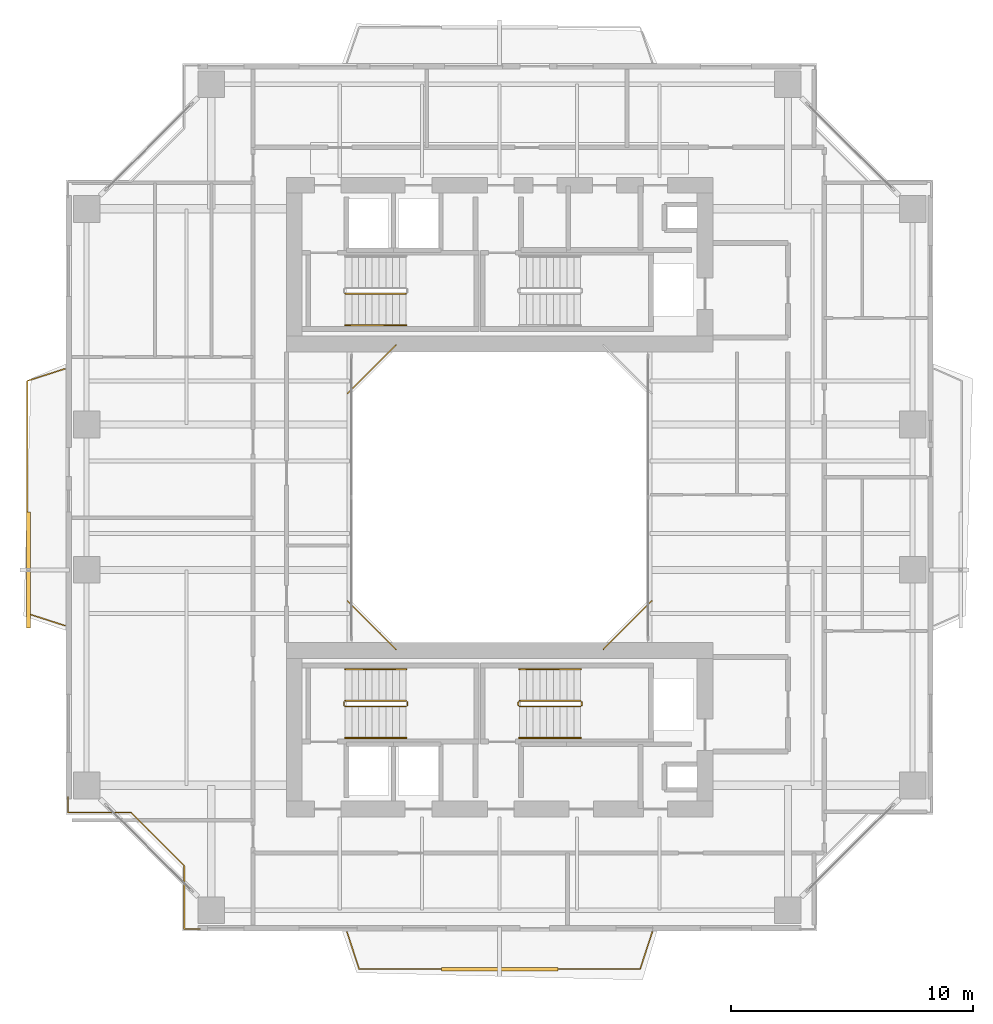
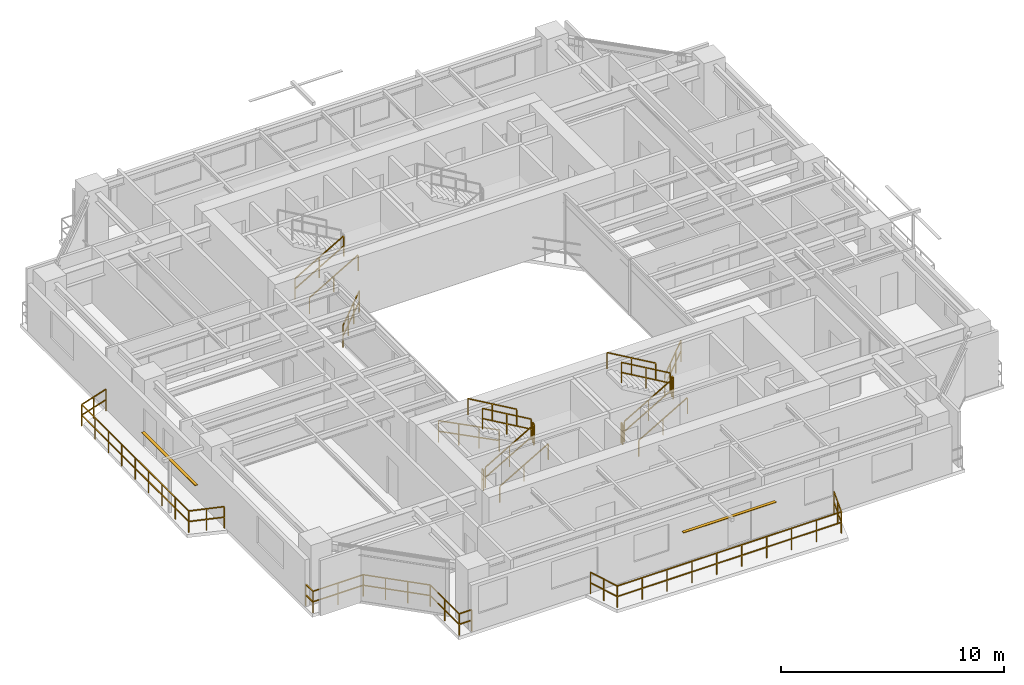
# One storey, part 14 of 16: 20 railings, 2 shading devices.
"""IFC4 building model written with IfcOpenShell, lengths in metres."""

from ifc_helpers import new_model, si_unit, direction, frame, origin, origin_2d, place, context, subcontext, project, spatial, rectangle, extrude, source, transform, mapped, material, material_profile, profile_set, type_object, element, save


model = new_model("IFC4")

# Units and contexts
model_context = context("Model", 3, precision=1e-05, world=origin(), true_north=direction((0.0, 1.0)))
body_context = subcontext(model_context, "Body", "Model", "MODEL_VIEW")
ifc_project = project(units=[si_unit("LENGTHUNIT", "METRE"), si_unit("AREAUNIT", "SQUARE_METRE"), si_unit("VOLUMEUNIT", "CUBIC_METRE"), si_unit("PLANEANGLEUNIT", "RADIAN"), si_unit("MASSUNIT", "GRAM", prefix="KILO"), si_unit("THERMODYNAMICTEMPERATUREUNIT", "KELVIN"), si_unit("POWERUNIT", "WATT")], contexts=[model_context])

# Site, building, storey
site_placement = place(None, origin())
site = spatial("IfcSite", under=ifc_project, at=site_placement, CompositionType="ELEMENT")
building_placement = place(site_placement, origin())
building = spatial("IfcBuilding", under=site, at=building_placement, Name="Qiaomeng Ring Towers", CompositionType="ELEMENT")
storey_placement = place(building_placement, frame((0.0, 0.0, 136.0)))
storey = spatial("IfcBuildingStorey", under=building, at=storey_placement, Name="L39", CompositionType="ELEMENT", Elevation=136.0)

# Railings
ifc_material_1 = material(Name="Low-E pale-green laminated safety glass", Category="glass")
railing_type_1 = type_object("IfcRailingType", Name="ARC-RL-BAL1", PredefinedType="BALUSTRADE", material=ifc_material_1)
railing_1_placement = place(storey_placement, frame((23.280029296875, 16.719970703125, 0.0)))
element("IfcRailing", 1, at=railing_1_placement, inside=storey, type_object=railing_type_1, Name="L39 Balustrade ARC-BAL-WELL1-L39-1", PredefinedType="BALUSTRADE", context=body_context, shape_type="SweptSolid", body=[
    extrude(rectangle(XDim=0.048095703125, YDim=0.048095703125, at=origin_2d()), frame((0.0, 0.0, 1.17578125), z_axis=(0.707106781187, 0.707106781187, 0.0), x_axis=(-0.707106781187, 0.707106781187, 0.0)), (0.0, 0.0, 1.0), 2.828369140625),
    extrude(rectangle(XDim=0.048095703125, YDim=0.048095703125, at=origin_2d()), frame((0.0, 0.0, 0.60009765625), z_axis=(0.707106781187, 0.707106781187, 0.0), x_axis=(-0.707106781187, 0.707106781187, 0.0)), (0.0, 0.0, 1.0), 2.828369140625),
    extrude(rectangle(XDim=0.0419921875, YDim=0.0419921875, at=origin_2d()), origin(), (0.0, 0.0, 1.0), 1.15185546875),
    extrude(rectangle(XDim=0.0419921875, YDim=0.0419921875, at=origin_2d()), frame((0.666748046875, 0.666748046875, 0.0)), (0.0, 0.0, 1.0), 1.15185546875),
    extrude(rectangle(XDim=0.0419921875, YDim=0.0419921875, at=origin_2d()), frame((1.333251953125, 1.333251953125, 0.0)), (0.0, 0.0, 1.0), 1.15185546875),
    extrude(rectangle(XDim=0.0419921875, YDim=0.0419921875, at=origin_2d()), frame((2.0, 2.0, 0.0)), (0.0, 0.0, 1.0), 1.15185546875),
])
railing_2_placement = place(storey_placement, frame((14.719970703125, 29.280029296875, 0.0)))
element("IfcRailing", 2, at=railing_2_placement, inside=storey, type_object=railing_type_1, Name="L39 Balustrade ARC-BAL-WELL1-L39-3", PredefinedType="BALUSTRADE", context=body_context, shape_type="SweptSolid", body=[
    extrude(rectangle(XDim=0.048095703125, YDim=0.048095703125, at=origin_2d()), frame((0.0, 0.0, 1.17578125), z_axis=(-0.707106781187, -0.707106781187, 0.0), x_axis=(0.707106781187, -0.707106781187, 0.0)), (0.0, 0.0, 1.0), 2.828369140625),
    extrude(rectangle(XDim=0.048095703125, YDim=0.048095703125, at=origin_2d()), frame((0.0, 0.0, 0.60009765625), z_axis=(-0.707106781187, -0.707106781187, 0.0), x_axis=(0.707106781187, -0.707106781187, 0.0)), (0.0, 0.0, 1.0), 2.828369140625),
    extrude(rectangle(XDim=0.0419921875, YDim=0.0419921875, at=origin_2d()), origin(), (0.0, 0.0, 1.0), 1.15185546875),
    extrude(rectangle(XDim=0.0419921875, YDim=0.0419921875, at=origin_2d()), frame((-0.666748046875, -0.666748046875, 0.0)), (0.0, 0.0, 1.0), 1.15185546875),
    extrude(rectangle(XDim=0.0419921875, YDim=0.0419921875, at=origin_2d()), frame((-1.333251953125, -1.333251953125, 0.0)), (0.0, 0.0, 1.0), 1.15185546875),
    extrude(rectangle(XDim=0.0419921875, YDim=0.0419921875, at=origin_2d()), frame((-2.0, -2.0, 0.0)), (0.0, 0.0, 1.0), 1.15185546875),
])
railing_3_placement = place(storey_placement, frame((12.719970703125, 18.719970703125, 0.0)))
element("IfcRailing", 3, at=railing_3_placement, inside=storey, type_object=railing_type_1, Name="L39 Balustrade ARC-BAL-WELL1-L39-4", PredefinedType="BALUSTRADE", context=body_context, shape_type="SweptSolid", body=[
    extrude(rectangle(XDim=0.048095703125, YDim=0.048095703125, at=origin_2d()), frame((0.0, 0.0, 1.17578125), z_axis=(0.707106781187, -0.707106781187, 0.0), x_axis=(0.707106781187, 0.707106781187, 0.0)), (0.0, 0.0, 1.0), 2.828369140625),
    extrude(rectangle(XDim=0.048095703125, YDim=0.048095703125, at=origin_2d()), frame((0.0, 0.0, 0.60009765625), z_axis=(0.707106781187, -0.707106781187, 0.0), x_axis=(0.707106781187, 0.707106781187, 0.0)), (0.0, 0.0, 1.0), 2.828369140625),
    extrude(rectangle(XDim=0.0419921875, YDim=0.0419921875, at=origin_2d()), origin(), (0.0, 0.0, 1.0), 1.15185546875),
    extrude(rectangle(XDim=0.0419921875, YDim=0.0419921875, at=origin_2d()), frame((0.666748046875, -0.666748046875, 0.0)), (0.0, 0.0, 1.0), 1.15185546875),
    extrude(rectangle(XDim=0.0419921875, YDim=0.0419921875, at=origin_2d()), frame((1.333251953125, -1.333251953125, 0.0)), (0.0, 0.0, 1.0), 1.15185546875),
    extrude(rectangle(XDim=0.0419921875, YDim=0.0419921875, at=origin_2d()), frame((2.0, -2.0, 0.0)), (0.0, 0.0, 1.0), 1.15185546875),
])
railing_4_placement = place(storey_placement, frame((1.179931640625, 10.6298828125, 0.0)))
element("IfcRailing", 4, at=railing_4_placement, inside=storey, type_object=railing_type_1, Name="L39 Balustrade ARC-BAL-NOTCH1-L39-SW", PredefinedType="BALUSTRADE", context=body_context, shape_type="SweptSolid", body=[
    extrude(rectangle(XDim=0.048095703125, YDim=0.048095703125, at=origin_2d()), frame((0.0, 0.0, 1.17578125), z_axis=(0.0, -1.0, 0.0), x_axis=(1.0, 0.0, 0.0)), (0.0, 0.0, 1.0), 0.64990234375),
    extrude(rectangle(XDim=0.048095703125, YDim=0.048095703125, at=origin_2d()), frame((0.0, 0.0, 0.60009765625), z_axis=(0.0, -1.0, 0.0), x_axis=(1.0, 0.0, 0.0)), (0.0, 0.0, 1.0), 0.64990234375),
    extrude(rectangle(XDim=0.048095703125, YDim=0.048095703125, at=origin_2d()), frame((0.0, -0.64990234375, 1.17578125), z_axis=(1.0, 0.0, 0.0), x_axis=(0.0, 1.0, 0.0)), (0.0, 0.0, 1.0), 2.60009765625),
    extrude(rectangle(XDim=0.048095703125, YDim=0.048095703125, at=origin_2d()), frame((0.0, -0.64990234375, 0.60009765625), z_axis=(1.0, 0.0, 0.0), x_axis=(0.0, 1.0, 0.0)), (0.0, 0.0, 1.0), 2.60009765625),
    extrude(rectangle(XDim=0.048095703125, YDim=0.048095703125, at=origin_2d()), frame((2.60009765625, -0.64990234375, 1.17578125), z_axis=(0.707106781187, -0.707106781187, 0.0), x_axis=(0.707106781187, 0.707106781187, 0.0)), (0.0, 0.0, 1.0), 3.111083984375),
    extrude(rectangle(XDim=0.048095703125, YDim=0.048095703125, at=origin_2d()), frame((2.60009765625, -0.64990234375, 0.60009765625), z_axis=(0.707106781187, -0.707106781187, 0.0), x_axis=(0.707106781187, 0.707106781187, 0.0)), (0.0, 0.0, 1.0), 3.111083984375),
    extrude(rectangle(XDim=0.048095703125, YDim=0.048095703125, at=origin_2d()), frame((4.800048828125, -2.849853515625, 1.17578125), z_axis=(0.0, -1.0, 0.0), x_axis=(1.0, 0.0, 0.0)), (0.0, 0.0, 1.0), 2.60009765625),
    extrude(rectangle(XDim=0.048095703125, YDim=0.048095703125, at=origin_2d()), frame((4.800048828125, -2.849853515625, 0.60009765625), z_axis=(0.0, -1.0, 0.0), x_axis=(1.0, 0.0, 0.0)), (0.0, 0.0, 1.0), 2.60009765625),
    extrude(rectangle(XDim=0.048095703125, YDim=0.048095703125, at=origin_2d()), frame((4.800048828125, -5.449951171875, 1.17578125), z_axis=(1.0, 0.0, 0.0), x_axis=(0.0, 1.0, 0.0)), (0.0, 0.0, 1.0), 0.64990234375),
    extrude(rectangle(XDim=0.048095703125, YDim=0.048095703125, at=origin_2d()), frame((4.800048828125, -5.449951171875, 0.60009765625), z_axis=(1.0, 0.0, 0.0), x_axis=(0.0, 1.0, 0.0)), (0.0, 0.0, 1.0), 0.64990234375),
    extrude(rectangle(XDim=0.0419921875, YDim=0.0419921875, at=origin_2d()), origin(), (0.0, 0.0, 1.0), 1.15185546875),
    extrude(rectangle(XDim=0.0419921875, YDim=0.0419921875, at=origin_2d()), frame((0.0, -0.64990234375, 0.0)), (0.0, 0.0, 1.0), 1.15185546875),
    extrude(rectangle(XDim=0.0419921875, YDim=0.0419921875, at=origin_2d()), frame((1.300048828125, -0.64990234375, 0.0)), (0.0, 0.0, 1.0), 1.15185546875),
    extrude(rectangle(XDim=0.0419921875, YDim=0.0419921875, at=origin_2d()), frame((2.60009765625, -0.64990234375, 0.0)), (0.0, 0.0, 1.0), 1.15185546875),
    extrude(rectangle(XDim=0.0419921875, YDim=0.0419921875, at=origin_2d()), frame((3.33349609375, -1.38330078125, 0.0)), (0.0, 0.0, 1.0), 1.15185546875),
    extrude(rectangle(XDim=0.0419921875, YDim=0.0419921875, at=origin_2d()), frame((4.066650390625, -2.116455078125, 0.0)), (0.0, 0.0, 1.0), 1.15185546875),
    extrude(rectangle(XDim=0.0419921875, YDim=0.0419921875, at=origin_2d()), frame((4.800048828125, -2.849853515625, 0.0)), (0.0, 0.0, 1.0), 1.15185546875),
    extrude(rectangle(XDim=0.0419921875, YDim=0.0419921875, at=origin_2d()), frame((4.800048828125, -4.14990234375, 0.0)), (0.0, 0.0, 1.0), 1.15185546875),
    extrude(rectangle(XDim=0.0419921875, YDim=0.0419921875, at=origin_2d()), frame((4.800048828125, -5.449951171875, 0.0)), (0.0, 0.0, 1.0), 1.15185546875),
    extrude(rectangle(XDim=0.0419921875, YDim=0.0419921875, at=origin_2d()), frame((5.449951171875, -5.449951171875, 0.0)), (0.0, 0.0, 1.0), 1.15185546875),
])
railing_5_placement = place(storey_placement, frame((12.699951171875, 5.050048828125, 0.0)))
element("IfcRailing", 5, at=railing_5_placement, inside=storey, type_object=railing_type_1, Name="L39 Balustrade ARC-BAL-L39-T1-S", PredefinedType="BALUSTRADE", context=body_context, shape_type="SweptSolid", body=[
    extrude(rectangle(XDim=0.048095703125, YDim=0.048095703125, at=origin_2d()), frame((0.0, 0.0, 1.17578125), z_axis=(0.310625543041, -0.950532362421, 0.0), x_axis=(0.950532362421, 0.310625543041, 0.0)), (0.0, 0.0, 1.0), 1.609619140625),
    extrude(rectangle(XDim=0.048095703125, YDim=0.048095703125, at=origin_2d()), frame((0.0, 0.0, 0.60009765625), z_axis=(0.310625543041, -0.950532362421, 0.0), x_axis=(0.950532362421, 0.310625543041, 0.0)), (0.0, 0.0, 1.0), 1.609619140625),
    extrude(rectangle(XDim=0.048095703125, YDim=0.048095703125, at=origin_2d()), frame((0.5, -1.530029296875, 1.17578125), z_axis=(1.0, 0.0, 0.0), x_axis=(0.0, 1.0, 0.0)), (0.0, 0.0, 1.0), 11.60009765625),
    extrude(rectangle(XDim=0.048095703125, YDim=0.048095703125, at=origin_2d()), frame((0.5, -1.530029296875, 0.60009765625), z_axis=(1.0, 0.0, 0.0), x_axis=(0.0, 1.0, 0.0)), (0.0, 0.0, 1.0), 11.60009765625),
    extrude(rectangle(XDim=0.048095703125, YDim=0.048095703125, at=origin_2d()), frame((12.10009765625, -1.530029296875, 1.17578125), z_axis=(0.310625543041, 0.950532362421, 0.0), x_axis=(-0.950532362421, 0.310625543041, 0.0)), (0.0, 0.0, 1.0), 1.609619140625),
    extrude(rectangle(XDim=0.048095703125, YDim=0.048095703125, at=origin_2d()), frame((12.10009765625, -1.530029296875, 0.60009765625), z_axis=(0.310625543041, 0.950532362421, 0.0), x_axis=(-0.950532362421, 0.310625543041, 0.0)), (0.0, 0.0, 1.0), 1.609619140625),
    extrude(rectangle(XDim=0.0419921875, YDim=0.0419921875, at=origin_2d()), origin(), (0.0, 0.0, 1.0), 1.15185546875),
    extrude(rectangle(XDim=0.0419921875, YDim=0.0419921875, at=origin_2d()), frame((0.25, -0.76513671875, 0.0)), (0.0, 0.0, 1.0), 1.15185546875),
    extrude(rectangle(XDim=0.0419921875, YDim=0.0419921875, at=origin_2d()), frame((0.5, -1.530029296875, 0.0)), (0.0, 0.0, 1.0), 1.15185546875),
    extrude(rectangle(XDim=0.0419921875, YDim=0.0419921875, at=origin_2d()), frame((1.788818359375, -1.530029296875, 0.0)), (0.0, 0.0, 1.0), 1.15185546875),
    extrude(rectangle(XDim=0.0419921875, YDim=0.0419921875, at=origin_2d()), frame((3.077880859375, -1.530029296875, 0.0)), (0.0, 0.0, 1.0), 1.15185546875),
    extrude(rectangle(XDim=0.0419921875, YDim=0.0419921875, at=origin_2d()), frame((4.36669921875, -1.530029296875, 0.0)), (0.0, 0.0, 1.0), 1.15185546875),
    extrude(rectangle(XDim=0.0419921875, YDim=0.0419921875, at=origin_2d()), frame((5.655517578125, -1.530029296875, 0.0)), (0.0, 0.0, 1.0), 1.15185546875),
    extrude(rectangle(XDim=0.0419921875, YDim=0.0419921875, at=origin_2d()), frame((6.944580078125, -1.530029296875, 0.0)), (0.0, 0.0, 1.0), 1.15185546875),
    extrude(rectangle(XDim=0.0419921875, YDim=0.0419921875, at=origin_2d()), frame((8.2333984375, -1.530029296875, 0.0)), (0.0, 0.0, 1.0), 1.15185546875),
    extrude(rectangle(XDim=0.0419921875, YDim=0.0419921875, at=origin_2d()), frame((9.522216796875, -1.530029296875, 0.0)), (0.0, 0.0, 1.0), 1.15185546875),
    extrude(rectangle(XDim=0.0419921875, YDim=0.0419921875, at=origin_2d()), frame((10.811279296875, -1.530029296875, 0.0)), (0.0, 0.0, 1.0), 1.15185546875),
    extrude(rectangle(XDim=0.0419921875, YDim=0.0419921875, at=origin_2d()), frame((12.10009765625, -1.530029296875, 0.0)), (0.0, 0.0, 1.0), 1.15185546875),
    extrude(rectangle(XDim=0.0419921875, YDim=0.0419921875, at=origin_2d()), frame((12.35009765625, -0.76513671875, 0.0)), (0.0, 0.0, 1.0), 1.15185546875),
    extrude(rectangle(XDim=0.0419921875, YDim=0.0419921875, at=origin_2d()), frame((12.60009765625, 0.0, 0.0)), (0.0, 0.0, 1.0), 1.15185546875),
])
railing_6_placement = place(storey_placement, frame((1.050048828125, 17.699951171875, 0.0)))
element("IfcRailing", 6, at=railing_6_placement, inside=storey, type_object=railing_type_1, Name="L39 Balustrade ARC-BAL-L39-T1-W", PredefinedType="BALUSTRADE", context=body_context, shape_type="SweptSolid", body=[
    extrude(rectangle(XDim=0.048095703125, YDim=0.048095703125, at=origin_2d()), frame((0.0, 0.0, 1.17578125), z_axis=(-0.951711443346, 0.306994020471, 0.0), x_axis=(-0.306994020471, -0.951711443346, 0.0)), (0.0, 0.0, 1.0), 1.628662109375),
    extrude(rectangle(XDim=0.048095703125, YDim=0.048095703125, at=origin_2d()), frame((0.0, 0.0, 0.60009765625), z_axis=(-0.951711443346, 0.306994020471, 0.0), x_axis=(-0.306994020471, -0.951711443346, 0.0)), (0.0, 0.0, 1.0), 1.628662109375),
    extrude(rectangle(XDim=0.048095703125, YDim=0.048095703125, at=origin_2d()), frame((-1.550048828125, 0.5, 1.17578125), z_axis=(0.0, 1.0, 0.0), x_axis=(-1.0, 0.0, 0.0)), (0.0, 0.0, 1.0), 9.60009765625),
    extrude(rectangle(XDim=0.048095703125, YDim=0.048095703125, at=origin_2d()), frame((-1.550048828125, 0.5, 0.60009765625), z_axis=(0.0, 1.0, 0.0), x_axis=(-1.0, 0.0, 0.0)), (0.0, 0.0, 1.0), 9.60009765625),
    extrude(rectangle(XDim=0.048095703125, YDim=0.048095703125, at=origin_2d()), frame((-1.550048828125, 10.10009765625, 1.17578125), z_axis=(0.951711443346, 0.306994020471, 0.0), x_axis=(-0.306994020471, 0.951711443346, 0.0)), (0.0, 0.0, 1.0), 1.628662109375),
    extrude(rectangle(XDim=0.048095703125, YDim=0.048095703125, at=origin_2d()), frame((-1.550048828125, 10.10009765625, 0.60009765625), z_axis=(0.951711443346, 0.306994020471, 0.0), x_axis=(-0.306994020471, 0.951711443346, 0.0)), (0.0, 0.0, 1.0), 1.628662109375),
    extrude(rectangle(XDim=0.0419921875, YDim=0.0419921875, at=origin_2d()), origin(), (0.0, 0.0, 1.0), 1.15185546875),
    extrude(rectangle(XDim=0.0419921875, YDim=0.0419921875, at=origin_2d()), frame((-0.77490234375, 0.25, 0.0)), (0.0, 0.0, 1.0), 1.15185546875),
    extrude(rectangle(XDim=0.0419921875, YDim=0.0419921875, at=origin_2d()), frame((-1.550048828125, 0.5, 0.0)), (0.0, 0.0, 1.0), 1.15185546875),
    extrude(rectangle(XDim=0.0419921875, YDim=0.0419921875, at=origin_2d()), frame((-1.550048828125, 1.699951171875, 0.0)), (0.0, 0.0, 1.0), 1.15185546875),
    extrude(rectangle(XDim=0.0419921875, YDim=0.0419921875, at=origin_2d()), frame((-1.550048828125, 2.89990234375, 0.0)), (0.0, 0.0, 1.0), 1.15185546875),
    extrude(rectangle(XDim=0.0419921875, YDim=0.0419921875, at=origin_2d()), frame((-1.550048828125, 4.10009765625, 0.0)), (0.0, 0.0, 1.0), 1.15185546875),
    extrude(rectangle(XDim=0.0419921875, YDim=0.0419921875, at=origin_2d()), frame((-1.550048828125, 5.300048828125, 0.0)), (0.0, 0.0, 1.0), 1.15185546875),
    extrude(rectangle(XDim=0.0419921875, YDim=0.0419921875, at=origin_2d()), frame((-1.550048828125, 6.5, 0.0)), (0.0, 0.0, 1.0), 1.15185546875),
    extrude(rectangle(XDim=0.0419921875, YDim=0.0419921875, at=origin_2d()), frame((-1.550048828125, 7.7001953125, 0.0)), (0.0, 0.0, 1.0), 1.15185546875),
    extrude(rectangle(XDim=0.0419921875, YDim=0.0419921875, at=origin_2d()), frame((-1.550048828125, 8.900146484375, 0.0)), (0.0, 0.0, 1.0), 1.15185546875),
    extrude(rectangle(XDim=0.0419921875, YDim=0.0419921875, at=origin_2d()), frame((-1.550048828125, 10.10009765625, 0.0)), (0.0, 0.0, 1.0), 1.15185546875),
    extrude(rectangle(XDim=0.0419921875, YDim=0.0419921875, at=origin_2d()), frame((-0.77490234375, 10.35009765625, 0.0)), (0.0, 0.0, 1.0), 1.15185546875),
    extrude(rectangle(XDim=0.0419921875, YDim=0.0419921875, at=origin_2d()), frame((0.0, 10.60009765625, 0.0)), (0.0, 0.0, 1.0), 1.15185546875),
])
ifc_material_2 = material(Name="Galvanised steel", Category="steel")
railing_type_2 = type_object("IfcRailingType", Name="ARC-RL-GUARD", PredefinedType="GUARDRAIL", material=ifc_material_2)
for number, where, name in (
    (7, (12.6201171875, 31.39990234375, 0.16259765625), "L39 ST1 stair guard 1"),
    (8, (12.6201171875, 14.360107421875, 0.16259765625), "L39 ST3 stair guard 1"),
):
    element("IfcRailing", number, at=place(storey_placement, frame(where)), inside=storey, type_object=railing_type_2, Name=name, PredefinedType="GUARDRAIL", context=body_context, shape_type="SweptSolid", body=[
        extrude(rectangle(XDim=0.048095703125, YDim=0.048095703125, at=origin_2d()), frame((0.0, 0.0, 1.1259765625), z_axis=(0.864892226395, 0.0, 0.501957604506), x_axis=(0.0, 1.0, 0.0)), (0.0, 0.0, 1.0), 2.913330078125),
        extrude(rectangle(XDim=0.048095703125, YDim=0.048095703125, at=origin_2d()), frame((0.0, 0.0, 0.574951171875), z_axis=(0.864892226395, 0.0, 0.501957604506), x_axis=(0.0, 1.0, 0.0)), (0.0, 0.0, 1.0), 2.913330078125),
        extrude(rectangle(XDim=0.0419921875, YDim=0.0419921875, at=origin_2d()), origin(), (0.0, 0.0, 1.0), 1.101806640625),
        extrude(rectangle(XDim=0.0419921875, YDim=0.0419921875, at=origin_2d()), frame((1.259765625, 0.0, 0.731201171875)), (0.0, 0.0, 1.0), 1.101806640625),
        extrude(rectangle(XDim=0.0419921875, YDim=0.0419921875, at=origin_2d()), frame((2.519775390625, 0.0, 1.46240234375)), (0.0, 0.0, 1.0), 1.101806640625),
    ])
railing_7_placement = place(storey_placement, frame((15.18994140625, 14.409912109375, 1.625)))
element("IfcRailing", 9, at=railing_7_placement, inside=storey, type_object=railing_type_2, Name="L39 ST3 stair guard 2", PredefinedType="GUARDRAIL", context=body_context, shape_type="SweptSolid", body=[
    extrude(rectangle(XDim=0.048095703125, YDim=0.048095703125, at=origin_2d()), frame((0.0, 0.0, 1.1259765625), z_axis=(0.0, 1.0, 0.0), x_axis=(-1.0, 0.0, 0.0)), (0.0, 0.0, 1.0), 0.14013671875),
    extrude(rectangle(XDim=0.048095703125, YDim=0.048095703125, at=origin_2d()), frame((0.0, 0.0, 0.574951171875), z_axis=(0.0, 1.0, 0.0), x_axis=(-1.0, 0.0, 0.0)), (0.0, 0.0, 1.0), 0.14013671875),
    extrude(rectangle(XDim=0.0419921875, YDim=0.0419921875, at=origin_2d()), origin(), (0.0, 0.0, 1.0), 1.101806640625),
    extrude(rectangle(XDim=0.0419921875, YDim=0.0419921875, at=origin_2d()), frame((0.0, 0.14013671875, 0.0)), (0.0, 0.0, 1.0), 1.101806640625),
])
railing_8_placement = place(storey_placement, frame((15.139892578125, 14.60009765625, 1.78759765625)))
element("IfcRailing", 10, at=railing_8_placement, inside=storey, type_object=railing_type_2, Name="L39 ST3 stair guard 3", PredefinedType="GUARDRAIL", context=body_context, shape_type="SweptSolid", body=[
    extrude(rectangle(XDim=0.048095703125, YDim=0.048095703125, at=origin_2d()), frame((0.0, 0.0, 1.1259765625), z_axis=(-0.864892226395, 0.0, 0.501957604506), x_axis=(0.0, -1.0, 0.0)), (0.0, 0.0, 1.0), 2.913330078125),
    extrude(rectangle(XDim=0.048095703125, YDim=0.048095703125, at=origin_2d()), frame((0.0, 0.0, 0.574951171875), z_axis=(-0.864892226395, 0.0, 0.501957604506), x_axis=(0.0, -1.0, 0.0)), (0.0, 0.0, 1.0), 2.913330078125),
    extrude(rectangle(XDim=0.0419921875, YDim=0.0419921875, at=origin_2d()), origin(), (0.0, 0.0, 1.0), 1.101806640625),
    extrude(rectangle(XDim=0.0419921875, YDim=0.0419921875, at=origin_2d()), frame((-1.259765625, 0.0, 0.731201171875)), (0.0, 0.0, 1.0), 1.101806640625),
    extrude(rectangle(XDim=0.0419921875, YDim=0.0419921875, at=origin_2d()), frame((-2.519775390625, 0.0, 1.46240234375)), (0.0, 0.0, 1.0), 1.101806640625),
])
railing_9_placement = place(storey_placement, frame((12.570068359375, 14.409912109375, 0.0)))
element("IfcRailing", 11, at=railing_9_placement, inside=storey, type_object=railing_type_2, Name="L39 ST3 stair guard 4", PredefinedType="GUARDRAIL", context=body_context, shape_type="SweptSolid", body=[
    extrude(rectangle(XDim=0.048095703125, YDim=0.048095703125, at=origin_2d()), frame((0.0, 0.0, 1.1259765625), z_axis=(0.0, 1.0, 0.0), x_axis=(-1.0, 0.0, 0.0)), (0.0, 0.0, 1.0), 0.14013671875),
    extrude(rectangle(XDim=0.048095703125, YDim=0.048095703125, at=origin_2d()), frame((0.0, 0.0, 0.574951171875), z_axis=(0.0, 1.0, 0.0), x_axis=(-1.0, 0.0, 0.0)), (0.0, 0.0, 1.0), 0.14013671875),
    extrude(rectangle(XDim=0.0419921875, YDim=0.0419921875, at=origin_2d()), origin(), (0.0, 0.0, 1.0), 1.101806640625),
    extrude(rectangle(XDim=0.0419921875, YDim=0.0419921875, at=origin_2d()), frame((0.0, 0.14013671875, 0.0)), (0.0, 0.0, 1.0), 1.101806640625),
])
railing_10_placement = place(storey_placement, frame((19.820068359375, 14.360107421875, 0.16259765625)))
element("IfcRailing", 12, at=railing_10_placement, inside=storey, type_object=railing_type_2, Name="L39 ST4 stair guard 1", PredefinedType="GUARDRAIL", context=body_context, shape_type="SweptSolid", body=[
    extrude(rectangle(XDim=0.048095703125, YDim=0.048095703125, at=origin_2d()), frame((0.0, 0.0, 1.1259765625), z_axis=(0.864913338283, 0.0, 0.50192122615), x_axis=(0.0, 1.0, 0.0)), (0.0, 0.0, 1.0), 2.91357421875),
    extrude(rectangle(XDim=0.048095703125, YDim=0.048095703125, at=origin_2d()), frame((0.0, 0.0, 0.574951171875), z_axis=(0.864913338283, 0.0, 0.50192122615), x_axis=(0.0, 1.0, 0.0)), (0.0, 0.0, 1.0), 2.91357421875),
    extrude(rectangle(XDim=0.0419921875, YDim=0.0419921875, at=origin_2d()), origin(), (0.0, 0.0, 1.0), 1.101806640625),
    extrude(rectangle(XDim=0.0419921875, YDim=0.0419921875, at=origin_2d()), frame((1.260009765625, 0.0, 0.731201171875)), (0.0, 0.0, 1.0), 1.101806640625),
    extrude(rectangle(XDim=0.0419921875, YDim=0.0419921875, at=origin_2d()), frame((2.52001953125, 0.0, 1.46240234375)), (0.0, 0.0, 1.0), 1.101806640625),
])
railing_11_placement = place(storey_placement, frame((22.389892578125, 14.409912109375, 1.625)))
element("IfcRailing", 13, at=railing_11_placement, inside=storey, type_object=railing_type_2, Name="L39 ST4 stair guard 2", PredefinedType="GUARDRAIL", context=body_context, shape_type="SweptSolid", body=[
    extrude(rectangle(XDim=0.048095703125, YDim=0.048095703125, at=origin_2d()), frame((0.0, 0.0, 1.1259765625), z_axis=(0.0, 1.0, 0.0), x_axis=(-1.0, 0.0, 0.0)), (0.0, 0.0, 1.0), 0.14013671875),
    extrude(rectangle(XDim=0.048095703125, YDim=0.048095703125, at=origin_2d()), frame((0.0, 0.0, 0.574951171875), z_axis=(0.0, 1.0, 0.0), x_axis=(-1.0, 0.0, 0.0)), (0.0, 0.0, 1.0), 0.14013671875),
    extrude(rectangle(XDim=0.0419921875, YDim=0.0419921875, at=origin_2d()), origin(), (0.0, 0.0, 1.0), 1.101806640625),
    extrude(rectangle(XDim=0.0419921875, YDim=0.0419921875, at=origin_2d()), frame((0.0, 0.14013671875, 0.0)), (0.0, 0.0, 1.0), 1.101806640625),
])
railing_12_placement = place(storey_placement, frame((22.340087890625, 14.60009765625, 1.78759765625)))
element("IfcRailing", 14, at=railing_12_placement, inside=storey, type_object=railing_type_2, Name="L39 ST4 stair guard 3", PredefinedType="GUARDRAIL", context=body_context, shape_type="SweptSolid", body=[
    extrude(rectangle(XDim=0.048095703125, YDim=0.048095703125, at=origin_2d()), frame((0.0, 0.0, 1.1259765625), z_axis=(-0.864913338283, 0.0, 0.50192122615), x_axis=(0.0, -1.0, 0.0)), (0.0, 0.0, 1.0), 2.91357421875),
    extrude(rectangle(XDim=0.048095703125, YDim=0.048095703125, at=origin_2d()), frame((0.0, 0.0, 0.574951171875), z_axis=(-0.864913338283, 0.0, 0.50192122615), x_axis=(0.0, -1.0, 0.0)), (0.0, 0.0, 1.0), 2.91357421875),
    extrude(rectangle(XDim=0.0419921875, YDim=0.0419921875, at=origin_2d()), origin(), (0.0, 0.0, 1.0), 1.101806640625),
    extrude(rectangle(XDim=0.0419921875, YDim=0.0419921875, at=origin_2d()), frame((-1.260009765625, 0.0, 0.731201171875)), (0.0, 0.0, 1.0), 1.101806640625),
    extrude(rectangle(XDim=0.0419921875, YDim=0.0419921875, at=origin_2d()), frame((-2.52001953125, 0.0, 1.46240234375)), (0.0, 0.0, 1.0), 1.101806640625),
])
railing_13_placement = place(storey_placement, frame((19.77001953125, 14.409912109375, 0.0)))
element("IfcRailing", 15, at=railing_13_placement, inside=storey, type_object=railing_type_2, Name="L39 ST4 stair guard 4", PredefinedType="GUARDRAIL", context=body_context, shape_type="SweptSolid", body=[
    extrude(rectangle(XDim=0.048095703125, YDim=0.048095703125, at=origin_2d()), frame((0.0, 0.0, 1.1259765625), z_axis=(0.0, 1.0, 0.0), x_axis=(-1.0, 0.0, 0.0)), (0.0, 0.0, 1.0), 0.14013671875),
    extrude(rectangle(XDim=0.048095703125, YDim=0.048095703125, at=origin_2d()), frame((0.0, 0.0, 0.574951171875), z_axis=(0.0, 1.0, 0.0), x_axis=(-1.0, 0.0, 0.0)), (0.0, 0.0, 1.0), 0.14013671875),
    extrude(rectangle(XDim=0.0419921875, YDim=0.0419921875, at=origin_2d()), origin(), (0.0, 0.0, 1.0), 1.101806640625),
    extrude(rectangle(XDim=0.0419921875, YDim=0.0419921875, at=origin_2d()), frame((0.0, 0.14013671875, 0.0)), (0.0, 0.0, 1.0), 1.101806640625),
])
ifc_material_3 = material(Name="Stainless steel 316", Category="steel")
railing_type_3 = type_object("IfcRailingType", Name="ARC-RL-HAND", PredefinedType="HANDRAIL", material=ifc_material_3)
for number, where, name in (
    (16, (12.6201171875, 30.10009765625, 0.16259765625), "L39 ST1 stair handrail 1"),
    (17, (12.6201171875, 13.06005859375, 0.16259765625), "L39 ST3 stair handrail 1"),
):
    element("IfcRailing", number, at=place(storey_placement, frame(where)), inside=storey, type_object=railing_type_3, Name=name, PredefinedType="HANDRAIL", context=body_context, shape_type="SweptSolid", body=[
        extrude(rectangle(XDim=0.048095703125, YDim=0.048095703125, at=origin_2d()), frame((0.0, 0.0, 0.8759765625), z_axis=(0.864892226395, 0.0, 0.501957604506), x_axis=(0.0, 1.0, 0.0)), (0.0, 0.0, 1.0), 2.913330078125),
        extrude(rectangle(XDim=0.0419921875, YDim=0.0419921875, at=origin_2d()), origin(), (0.0, 0.0, 1.0), 0.851806640625),
        extrude(rectangle(XDim=0.0419921875, YDim=0.0419921875, at=origin_2d()), frame((1.259765625, 0.0, 0.731201171875)), (0.0, 0.0, 1.0), 0.851806640625),
        extrude(rectangle(XDim=0.0419921875, YDim=0.0419921875, at=origin_2d()), frame((2.519775390625, 0.0, 1.46240234375)), (0.0, 0.0, 1.0), 0.851806640625),
    ])
railing_14_placement = place(storey_placement, frame((15.139892578125, 15.89990234375, 1.78759765625)))
element("IfcRailing", 18, at=railing_14_placement, inside=storey, type_object=railing_type_3, Name="L39 ST3 stair handrail 2", PredefinedType="HANDRAIL", context=body_context, shape_type="SweptSolid", body=[
    extrude(rectangle(XDim=0.048095703125, YDim=0.048095703125, at=origin_2d()), frame((0.0, 0.0, 0.8759765625), z_axis=(-0.864892226395, 0.0, 0.501957604506), x_axis=(0.0, -1.0, 0.0)), (0.0, 0.0, 1.0), 2.913330078125),
    extrude(rectangle(XDim=0.0419921875, YDim=0.0419921875, at=origin_2d()), origin(), (0.0, 0.0, 1.0), 0.851806640625),
    extrude(rectangle(XDim=0.0419921875, YDim=0.0419921875, at=origin_2d()), frame((-1.259765625, 0.0, 0.731201171875)), (0.0, 0.0, 1.0), 0.851806640625),
    extrude(rectangle(XDim=0.0419921875, YDim=0.0419921875, at=origin_2d()), frame((-2.519775390625, 0.0, 1.46240234375)), (0.0, 0.0, 1.0), 0.851806640625),
])
railing_15_placement = place(storey_placement, frame((19.820068359375, 13.06005859375, 0.16259765625)))
element("IfcRailing", 19, at=railing_15_placement, inside=storey, type_object=railing_type_3, Name="L39 ST4 stair handrail 1", PredefinedType="HANDRAIL", context=body_context, shape_type="SweptSolid", body=[
    extrude(rectangle(XDim=0.048095703125, YDim=0.048095703125, at=origin_2d()), frame((0.0, 0.0, 0.8759765625), z_axis=(0.864913338283, 0.0, 0.50192122615), x_axis=(0.0, 1.0, 0.0)), (0.0, 0.0, 1.0), 2.91357421875),
    extrude(rectangle(XDim=0.0419921875, YDim=0.0419921875, at=origin_2d()), origin(), (0.0, 0.0, 1.0), 0.851806640625),
    extrude(rectangle(XDim=0.0419921875, YDim=0.0419921875, at=origin_2d()), frame((1.260009765625, 0.0, 0.731201171875)), (0.0, 0.0, 1.0), 0.851806640625),
    extrude(rectangle(XDim=0.0419921875, YDim=0.0419921875, at=origin_2d()), frame((2.52001953125, 0.0, 1.46240234375)), (0.0, 0.0, 1.0), 0.851806640625),
])
railing_16_placement = place(storey_placement, frame((22.340087890625, 15.89990234375, 1.78759765625)))
element("IfcRailing", 20, at=railing_16_placement, inside=storey, type_object=railing_type_3, Name="L39 ST4 stair handrail 2", PredefinedType="HANDRAIL", context=body_context, shape_type="SweptSolid", body=[
    extrude(rectangle(XDim=0.048095703125, YDim=0.048095703125, at=origin_2d()), frame((0.0, 0.0, 0.8759765625), z_axis=(-0.864913338283, 0.0, 0.50192122615), x_axis=(0.0, -1.0, 0.0)), (0.0, 0.0, 1.0), 2.91357421875),
    extrude(rectangle(XDim=0.0419921875, YDim=0.0419921875, at=origin_2d()), origin(), (0.0, 0.0, 1.0), 0.851806640625),
    extrude(rectangle(XDim=0.0419921875, YDim=0.0419921875, at=origin_2d()), frame((-1.260009765625, 0.0, 0.731201171875)), (0.0, 0.0, 1.0), 0.851806640625),
    extrude(rectangle(XDim=0.0419921875, YDim=0.0419921875, at=origin_2d()), frame((-2.52001953125, 0.0, 1.46240234375)), (0.0, 0.0, 1.0), 0.851806640625),
])

# Shading devices
ifc_material_4 = material(Name="Fluorocarbon dark-grey aluminium", Category="aluminium")
ifc_material_profile = material_profile(ifc_material_4, rectangle(XDim=0.14990234375, YDim=0.034912109375, at=origin_2d()), Name="LV BLADE 150x35")
ifc_profile_set = profile_set([ifc_material_profile], Name="Fluorocarbon dark-grey aluminium")
shading_device_type = type_object("IfcShadingDeviceType", Name="ARC-SHD-SUN", PredefinedType="AWNING", material=ifc_profile_set)
shared_shape = source(origin(), body_context, "Body", "SweptSolid", [
    extrude(rectangle(XDim=0.14990234375, YDim=0.034912109375, at=origin_2d()), origin(), (0.0, 0.0, 1.0), 4.7998046875),
])
for number, where, z_axis, x_axis, name in (
    (21, (16.60009765625, 3.52001953125, 2.929931640625), (1.0, 0.0, 0.0), (0.0, 1.0, 0.0), "L39 Ventilated Outer-Skin Sunshade S"),
    (22, (-0.449951171875, 17.60009765625, 2.929931640625), (0.0, 1.0, 0.0), (-1.0, 0.0, 0.0), "L39 Ventilated Outer-Skin Sunshade W"),
):
    element("IfcShadingDevice", number, at=place(storey_placement, frame(where, z_axis=z_axis, x_axis=x_axis)), inside=storey, type_object=shading_device_type, Name=name, PredefinedType="AWNING", context=body_context, shape_type="MappedRepresentation", body=[
        mapped(shared_shape, transform((0.0, 0.0, 0.0), x_axis=(1.0, 0.0, 0.0), y_axis=(0.0, 1.0, 0.0), z_axis=(0.0, 0.0, 1.0), scale=1.0)),
    ])

save(model, "model.ifc")
